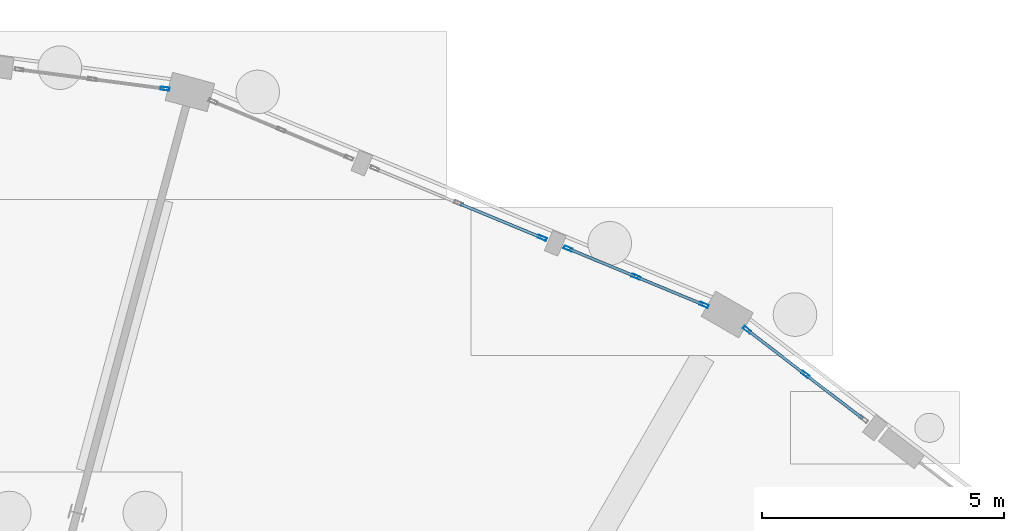
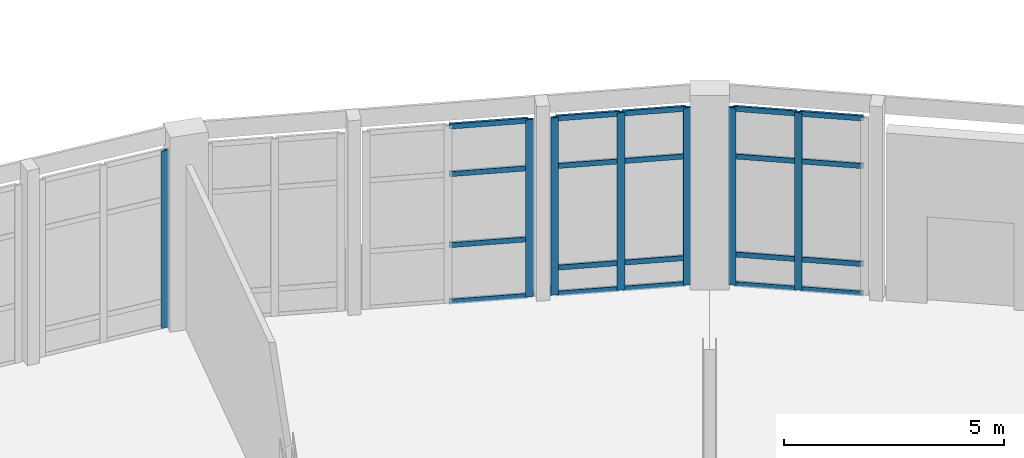
# One storey, part 64 of 137: 27 members, 4 elements without a shape of their own.
"""IFC4 building model written with IfcOpenShell, lengths in metres."""

from ifc_helpers import new_model, si_unit, direction, frame, origin, origin_2d, place, context, subcontext, project, spatial, hollow_rectangle, extrude, material, material_profile, profile_set, type_object, element, aggregate, save


model = new_model("IFC4")

# Units and contexts
model_context = context("Model", 3, precision=1e-05, world=origin(), true_north=direction((0.0, 1.0)))
body_context = subcontext(model_context, "Body", "Model", "MODEL_VIEW")
ifc_project = project(units=[si_unit("LENGTHUNIT", "METRE"), si_unit("AREAUNIT", "SQUARE_METRE"), si_unit("VOLUMEUNIT", "CUBIC_METRE"), si_unit("PLANEANGLEUNIT", "RADIAN"), si_unit("MASSUNIT", "GRAM", prefix="KILO")], contexts=[model_context])

# Site, building, storey
site_placement = place(None, origin())
site = spatial("IfcSite", under=ifc_project, at=site_placement, CompositionType="ELEMENT")
building_placement = place(site_placement, origin())
building = spatial("IfcBuilding", under=site, at=building_placement, Name="Vondelvale Polytechnic", CompositionType="ELEMENT")
storey_placement = place(building_placement, origin())
storey = spatial("IfcBuildingStorey", under=building, at=storey_placement, Name="L00", CompositionType="ELEMENT", Elevation=0.0)

# Curtain wall, members
ifc_material_1 = material(Name="Glulam GL18 structural Tasmanian oak (fb = 42 MPa)", Category="wood")
curtain_wall_type = type_object("IfcCurtainWallType", Name="CW-RING-OUTER", PredefinedType="NOTDEFINED", material=ifc_material_1)
curtain_wall_1_placement = place(storey_placement, origin())
curtain_wall_1 = element("IfcCurtainWall", 1, at=curtain_wall_1_placement, inside=storey, type_object=curtain_wall_type, Name="L00 architectural curtain wall CW-04-099", PredefinedType="NOTDEFINED")
ifc_material_2 = material(Name="Anodised extruded aluminium 6063-T6", Category="aluminium")
ifc_material_profile_1 = material_profile(ifc_material_2, hollow_rectangle(XDim=0.06494140625, YDim=0.179931640625, WallThickness=0.00390625, at=origin_2d()), Name="CW-MUL-180x65")
ifc_profile_set_1 = profile_set([ifc_material_profile_1], Name="Anodised extruded aluminium 6063-T6")
member_type_1 = type_object("IfcMemberType", Name="CW-MUL-65x180", PredefinedType="MULLION", material=ifc_profile_set_1)
member_1_placement = place(storey_placement, frame((126.615234375, 110.597900390625, 0.0), z_axis=(0.0, 0.0, 1.0), x_axis=(-0.608763610584, -0.793351666305, 0.0)))
member_1 = element("IfcMember", 2, at=member_1_placement, type_object=member_type_1, Name="CW-04-099 mullion 2", PredefinedType="MULLION", context=body_context, shape_type="SweptSolid", body=[
    extrude(hollow_rectangle(XDim=0.06494140625, YDim=0.179931640625, WallThickness=0.00390625, at=origin_2d()), origin(), (0.0, 0.0, 1.0), 4.919921875),
])
member_2_placement = place(storey_placement, frame((125.40966796875, 111.522705078125, 0.0), z_axis=(0.0, 0.0, 1.0), x_axis=(-0.608763610584, -0.793351666305, 0.0)))
member_2 = element("IfcMember", 3, at=member_2_placement, type_object=member_type_1, Name="CW-04-099 mullion 3", PredefinedType="MULLION", context=body_context, shape_type="SweptSolid", body=[
    extrude(hollow_rectangle(XDim=0.06494140625, YDim=0.179931640625, WallThickness=0.00390625, at=origin_2d()), origin(), (0.0, 0.0, 1.0), 4.919921875),
])

curtain_wall_2_placement = place(storey_placement, origin())
curtain_wall_2 = element("IfcCurtainWall", 4, at=curtain_wall_2_placement, inside=storey, type_object=curtain_wall_type, Name="L00 architectural curtain wall CW-04-112", PredefinedType="NOTDEFINED")
member_3_placement = place(storey_placement, frame((124.522705078125, 112.034912109375, 0.0), z_axis=(0.0, 0.0, 1.0), x_axis=(-0.382679040691, -0.92388135159, 0.0)))
member_3 = element("IfcMember", 5, at=member_3_placement, type_object=member_type_1, Name="CW-04-112 mullion 1", PredefinedType="MULLION", context=body_context, shape_type="SweptSolid", body=[
    extrude(hollow_rectangle(XDim=0.06494140625, YDim=0.179931640625, WallThickness=0.00390625, at=origin_2d()), origin(), (0.0, 0.0, 1.0), 4.919921875),
])
member_4_placement = place(storey_placement, frame((123.119140625, 112.6162109375, 0.0), z_axis=(0.0, 0.0, 1.0), x_axis=(-0.382679040691, -0.92388135159, 0.0)))
member_4 = element("IfcMember", 6, at=member_4_placement, type_object=member_type_1, Name="CW-04-112 mullion 2", PredefinedType="MULLION", context=body_context, shape_type="SweptSolid", body=[
    extrude(hollow_rectangle(XDim=0.06494140625, YDim=0.179931640625, WallThickness=0.00390625, at=origin_2d()), origin(), (0.0, 0.0, 1.0), 4.919921875),
])
member_5_placement = place(storey_placement, frame((121.71533203125, 113.19775390625, 0.0), z_axis=(0.0, 0.0, 1.0), x_axis=(-0.382679040691, -0.92388135159, 0.0)))
member_5 = element("IfcMember", 7, at=member_5_placement, type_object=member_type_1, Name="CW-04-112 mullion 3", PredefinedType="MULLION", context=body_context, shape_type="SweptSolid", body=[
    extrude(hollow_rectangle(XDim=0.06494140625, YDim=0.179931640625, WallThickness=0.00390625, at=origin_2d()), origin(), (0.0, 0.0, 1.0), 4.919921875),
])

# Curtain wall, member
curtain_wall_3_placement = place(storey_placement, origin())
curtain_wall_3 = element("IfcCurtainWall", 8, at=curtain_wall_3_placement, inside=storey, type_object=curtain_wall_type, Name="L00 architectural curtain wall CW-04-113", PredefinedType="NOTDEFINED")
member_6_placement = place(storey_placement, frame((121.18408203125, 113.417724609375, 0.0), z_axis=(0.0, 0.0, 1.0), x_axis=(-0.382694599123, -0.92387490701, 0.0)))
member_6 = element("IfcMember", 9, at=member_6_placement, type_object=member_type_1, Name="CW-04-113 mullion 1", PredefinedType="MULLION", context=body_context, shape_type="SweptSolid", body=[
    extrude(hollow_rectangle(XDim=0.06494140625, YDim=0.179931640625, WallThickness=0.00390625, at=origin_2d()), origin(), (0.0, 0.0, 1.0), 4.919921875),
])

curtain_wall_4_placement = place(storey_placement, origin())
curtain_wall_4 = element("IfcCurtainWall", 10, at=curtain_wall_4_placement, inside=storey, type_object=curtain_wall_type, Name="L00 architectural curtain wall CW-04-132", PredefinedType="NOTDEFINED")
member_7_placement = place(storey_placement, frame((113.3935546875, 116.5, 0.0), z_axis=(0.0, 0.0, 1.0), x_axis=(-0.130523690099, -0.991445190781, 0.0)))
member_7 = element("IfcMember", 11, at=member_7_placement, type_object=member_type_1, Name="CW-04-132 mullion 1", PredefinedType="MULLION", context=body_context, shape_type="SweptSolid", body=[
    extrude(hollow_rectangle(XDim=0.06494140625, YDim=0.179931640625, WallThickness=0.00390625, at=origin_2d()), origin(), (0.0, 0.0, 1.0), 4.919921875),
])
aggregate(curtain_wall_4, [member_7])

# Member
ifc_material_profile_2 = material_profile(ifc_material_2, hollow_rectangle(XDim=0.06005859375, YDim=0.139892578125, WallThickness=0.00341796875, at=origin_2d()), Name="CW-TRN-140x60")
ifc_profile_set_2 = profile_set([ifc_material_profile_2], Name="Anodised extruded aluminium 6063-T6")
member_type_2 = type_object("IfcMemberType", Name="CW-TRN-60x140", PredefinedType="USERDEFINED", material=ifc_profile_set_2)
member_8_placement = place(storey_placement, frame((127.794677734375, 109.692626953125, 0.030029296875), z_axis=(-0.793303669799, 0.608826155387, 0.0), x_axis=(-0.608826155387, -0.793303669799, 0.0)))
member_8 = element("IfcMember", 12, at=member_8_placement, type_object=member_type_2, Name="CW-04-099 transom 1.1", ObjectType="TRANSOM", PredefinedType="USERDEFINED", context=body_context, shape_type="SweptSolid", body=[
    extrude(hollow_rectangle(XDim=0.06005859375, YDim=0.139892578125, WallThickness=0.00341796875, at=origin_2d()), origin(), (0.0, 0.0, 1.0), 1.454345703125),
])

member_9_placement = place(storey_placement, frame((127.794677734375, 109.692626953125, 0.85009765625), z_axis=(-0.793303669799, 0.608826155387, 0.0), x_axis=(-0.608826155387, -0.793303669799, 0.0)))
member_9 = element("IfcMember", 13, at=member_9_placement, type_object=member_type_2, Name="CW-04-099 transom 1.2", ObjectType="TRANSOM", PredefinedType="USERDEFINED", context=body_context, shape_type="SweptSolid", body=[
    extrude(hollow_rectangle(XDim=0.06005859375, YDim=0.139892578125, WallThickness=0.00341796875, at=origin_2d()), origin(), (0.0, 0.0, 1.0), 1.454345703125),
])

member_10_placement = place(storey_placement, frame((127.794677734375, 109.692626953125, 3.570068359375), z_axis=(-0.793303669799, 0.608826155387, 0.0), x_axis=(-0.608826155387, -0.793303669799, 0.0)))
member_10 = element("IfcMember", 14, at=member_10_placement, type_object=member_type_2, Name="CW-04-099 transom 1.3", ObjectType="TRANSOM", PredefinedType="USERDEFINED", context=body_context, shape_type="SweptSolid", body=[
    extrude(hollow_rectangle(XDim=0.06005859375, YDim=0.139892578125, WallThickness=0.00341796875, at=origin_2d()), origin(), (0.0, 0.0, 1.0), 1.454345703125),
])

member_11_placement = place(storey_placement, frame((127.794677734375, 109.692626953125, 4.889892578125), z_axis=(-0.793303669799, 0.608826155387, 0.0), x_axis=(-0.608826155387, -0.793303669799, 0.0)))
member_11 = element("IfcMember", 15, at=member_11_placement, type_object=member_type_2, Name="CW-04-099 transom 1.4", ObjectType="TRANSOM", PredefinedType="USERDEFINED", context=body_context, shape_type="SweptSolid", body=[
    extrude(hollow_rectangle(XDim=0.06005859375, YDim=0.139892578125, WallThickness=0.00341796875, at=origin_2d()), origin(), (0.0, 0.0, 1.0), 1.454345703125),
])

member_12_placement = place(storey_placement, frame((126.58935546875, 110.61767578125, 0.030029296875), z_axis=(-0.793384744473, 0.608720500097, 0.0), x_axis=(-0.608720500097, -0.793384744473, 0.0)))
member_12 = element("IfcMember", 16, at=member_12_placement, type_object=member_type_2, Name="CW-04-099 transom 2.1", ObjectType="TRANSOM", PredefinedType="USERDEFINED", context=body_context, shape_type="SweptSolid", body=[
    extrude(hollow_rectangle(XDim=0.06005859375, YDim=0.139892578125, WallThickness=0.00341796875, at=origin_2d()), origin(), (0.0, 0.0, 1.0), 1.454345703125),
])

member_13_placement = place(storey_placement, frame((126.58935546875, 110.61767578125, 0.85009765625), z_axis=(-0.793384744473, 0.608720500097, 0.0), x_axis=(-0.608720500097, -0.793384744473, 0.0)))
member_13 = element("IfcMember", 17, at=member_13_placement, type_object=member_type_2, Name="CW-04-099 transom 2.2", ObjectType="TRANSOM", PredefinedType="USERDEFINED", context=body_context, shape_type="SweptSolid", body=[
    extrude(hollow_rectangle(XDim=0.06005859375, YDim=0.139892578125, WallThickness=0.00341796875, at=origin_2d()), origin(), (0.0, 0.0, 1.0), 1.454345703125),
])

member_14_placement = place(storey_placement, frame((126.58935546875, 110.61767578125, 3.570068359375), z_axis=(-0.793384744473, 0.608720500097, 0.0), x_axis=(-0.608720500097, -0.793384744473, 0.0)))
member_14 = element("IfcMember", 18, at=member_14_placement, type_object=member_type_2, Name="CW-04-099 transom 2.3", ObjectType="TRANSOM", PredefinedType="USERDEFINED", context=body_context, shape_type="SweptSolid", body=[
    extrude(hollow_rectangle(XDim=0.06005859375, YDim=0.139892578125, WallThickness=0.00341796875, at=origin_2d()), origin(), (0.0, 0.0, 1.0), 1.454345703125),
])

member_15_placement = place(storey_placement, frame((126.58935546875, 110.61767578125, 4.889892578125), z_axis=(-0.793384744473, 0.608720500097, 0.0), x_axis=(-0.608720500097, -0.793384744473, 0.0)))
member_15 = element("IfcMember", 19, at=member_15_placement, type_object=member_type_2, Name="CW-04-099 transom 2.4", ObjectType="TRANSOM", PredefinedType="USERDEFINED", context=body_context, shape_type="SweptSolid", body=[
    extrude(hollow_rectangle(XDim=0.06005859375, YDim=0.139892578125, WallThickness=0.00341796875, at=origin_2d()), origin(), (0.0, 0.0, 1.0), 1.454345703125),
])

aggregate(curtain_wall_1, [member_1, member_2, member_8, member_9, member_10, member_11, member_12, member_13, member_14, member_15])

member_16_placement = place(storey_placement, frame((124.49267578125, 112.04736328125, 0.030029296875), z_axis=(-0.92390429692, 0.38262364032, 0.0), x_axis=(-0.38262364032, -0.92390429692, 0.0)))
member_16 = element("IfcMember", 20, at=member_16_placement, type_object=member_type_2, Name="CW-04-112 transom 1.1", ObjectType="TRANSOM", PredefinedType="USERDEFINED", context=body_context, shape_type="SweptSolid", body=[
    extrude(hollow_rectangle(XDim=0.06005859375, YDim=0.139892578125, WallThickness=0.00341796875, at=origin_2d()), origin(), (0.0, 0.0, 1.0), 1.4541015625),
])

member_17_placement = place(storey_placement, frame((124.49267578125, 112.04736328125, 0.75), z_axis=(-0.92390429692, 0.38262364032, 0.0), x_axis=(-0.38262364032, -0.92390429692, 0.0)))
member_17 = element("IfcMember", 21, at=member_17_placement, type_object=member_type_2, Name="CW-04-112 transom 1.2", ObjectType="TRANSOM", PredefinedType="USERDEFINED", context=body_context, shape_type="SweptSolid", body=[
    extrude(hollow_rectangle(XDim=0.06005859375, YDim=0.139892578125, WallThickness=0.00341796875, at=origin_2d()), origin(), (0.0, 0.0, 1.0), 1.4541015625),
])

member_18_placement = place(storey_placement, frame((124.49267578125, 112.04736328125, 3.570068359375), z_axis=(-0.92390429692, 0.38262364032, 0.0), x_axis=(-0.38262364032, -0.92390429692, 0.0)))
member_18 = element("IfcMember", 22, at=member_18_placement, type_object=member_type_2, Name="CW-04-112 transom 1.3", ObjectType="TRANSOM", PredefinedType="USERDEFINED", context=body_context, shape_type="SweptSolid", body=[
    extrude(hollow_rectangle(XDim=0.06005859375, YDim=0.139892578125, WallThickness=0.00341796875, at=origin_2d()), origin(), (0.0, 0.0, 1.0), 1.4541015625),
])

member_19_placement = place(storey_placement, frame((124.49267578125, 112.04736328125, 4.889892578125), z_axis=(-0.92390429692, 0.38262364032, 0.0), x_axis=(-0.38262364032, -0.92390429692, 0.0)))
member_19 = element("IfcMember", 23, at=member_19_placement, type_object=member_type_2, Name="CW-04-112 transom 1.4", ObjectType="TRANSOM", PredefinedType="USERDEFINED", context=body_context, shape_type="SweptSolid", body=[
    extrude(hollow_rectangle(XDim=0.06005859375, YDim=0.139892578125, WallThickness=0.00341796875, at=origin_2d()), origin(), (0.0, 0.0, 1.0), 1.4541015625),
])

member_20_placement = place(storey_placement, frame((123.089111328125, 112.628662109375, 0.030029296875), z_axis=(-0.923869529365, 0.382707581205, 0.0), x_axis=(-0.382707581205, -0.923869529365, 0.0)))
member_20 = element("IfcMember", 24, at=member_20_placement, type_object=member_type_2, Name="CW-04-112 transom 2.1", ObjectType="TRANSOM", PredefinedType="USERDEFINED", context=body_context, shape_type="SweptSolid", body=[
    extrude(hollow_rectangle(XDim=0.06005859375, YDim=0.139892578125, WallThickness=0.00341796875, at=origin_2d()), origin(), (0.0, 0.0, 1.0), 1.45458984375),
])

member_21_placement = place(storey_placement, frame((123.089111328125, 112.628662109375, 0.75), z_axis=(-0.923869529365, 0.382707581205, 0.0), x_axis=(-0.382707581205, -0.923869529365, 0.0)))
member_21 = element("IfcMember", 25, at=member_21_placement, type_object=member_type_2, Name="CW-04-112 transom 2.2", ObjectType="TRANSOM", PredefinedType="USERDEFINED", context=body_context, shape_type="SweptSolid", body=[
    extrude(hollow_rectangle(XDim=0.06005859375, YDim=0.139892578125, WallThickness=0.00341796875, at=origin_2d()), origin(), (0.0, 0.0, 1.0), 1.45458984375),
])

member_22_placement = place(storey_placement, frame((123.089111328125, 112.628662109375, 3.570068359375), z_axis=(-0.923869529365, 0.382707581205, 0.0), x_axis=(-0.382707581205, -0.923869529365, 0.0)))
member_22 = element("IfcMember", 26, at=member_22_placement, type_object=member_type_2, Name="CW-04-112 transom 2.3", ObjectType="TRANSOM", PredefinedType="USERDEFINED", context=body_context, shape_type="SweptSolid", body=[
    extrude(hollow_rectangle(XDim=0.06005859375, YDim=0.139892578125, WallThickness=0.00341796875, at=origin_2d()), origin(), (0.0, 0.0, 1.0), 1.45458984375),
])

member_23_placement = place(storey_placement, frame((123.089111328125, 112.628662109375, 4.889892578125), z_axis=(-0.923869529365, 0.382707581205, 0.0), x_axis=(-0.382707581205, -0.923869529365, 0.0)))
member_23 = element("IfcMember", 27, at=member_23_placement, type_object=member_type_2, Name="CW-04-112 transom 2.4", ObjectType="TRANSOM", PredefinedType="USERDEFINED", context=body_context, shape_type="SweptSolid", body=[
    extrude(hollow_rectangle(XDim=0.06005859375, YDim=0.139892578125, WallThickness=0.00341796875, at=origin_2d()), origin(), (0.0, 0.0, 1.0), 1.45458984375),
])

aggregate(curtain_wall_2, [member_3, member_4, member_5, member_16, member_17, member_18, member_19, member_20, member_21, member_22, member_23])

member_24_placement = place(storey_placement, frame((121.154052734375, 113.43017578125, 0.030029296875), z_axis=(-0.92384573676, 0.382765012338, 0.0), x_axis=(-0.382765012338, -0.92384573676, 0.0)))
member_24 = element("IfcMember", 28, at=member_24_placement, type_object=member_type_2, Name="CW-04-113 transom 1.1", ObjectType="TRANSOM", PredefinedType="USERDEFINED", context=body_context, shape_type="SweptSolid", body=[
    extrude(hollow_rectangle(XDim=0.06005859375, YDim=0.139892578125, WallThickness=0.00341796875, at=origin_2d()), origin(), (0.0, 0.0, 1.0), 1.808837890625),
])

member_25_placement = place(storey_placement, frame((121.154052734375, 113.43017578125, 1.60009765625), z_axis=(-0.92384573676, 0.382765012338, 0.0), x_axis=(-0.382765012338, -0.92384573676, 0.0)))
member_25 = element("IfcMember", 29, at=member_25_placement, type_object=member_type_2, Name="CW-04-113 transom 1.2", ObjectType="TRANSOM", PredefinedType="USERDEFINED", context=body_context, shape_type="SweptSolid", body=[
    extrude(hollow_rectangle(XDim=0.06005859375, YDim=0.139892578125, WallThickness=0.00341796875, at=origin_2d()), origin(), (0.0, 0.0, 1.0), 1.808837890625),
])

member_26_placement = place(storey_placement, frame((121.154052734375, 113.43017578125, 3.570068359375), z_axis=(-0.92384573676, 0.382765012338, 0.0), x_axis=(-0.382765012338, -0.92384573676, 0.0)))
member_26 = element("IfcMember", 30, at=member_26_placement, type_object=member_type_2, Name="CW-04-113 transom 1.3", ObjectType="TRANSOM", PredefinedType="USERDEFINED", context=body_context, shape_type="SweptSolid", body=[
    extrude(hollow_rectangle(XDim=0.06005859375, YDim=0.139892578125, WallThickness=0.00341796875, at=origin_2d()), origin(), (0.0, 0.0, 1.0), 1.808837890625),
])

member_27_placement = place(storey_placement, frame((121.154052734375, 113.43017578125, 4.889892578125), z_axis=(-0.92384573676, 0.382765012338, 0.0), x_axis=(-0.382765012338, -0.92384573676, 0.0)))
member_27 = element("IfcMember", 31, at=member_27_placement, type_object=member_type_2, Name="CW-04-113 transom 1.4", ObjectType="TRANSOM", PredefinedType="USERDEFINED", context=body_context, shape_type="SweptSolid", body=[
    extrude(hollow_rectangle(XDim=0.06005859375, YDim=0.139892578125, WallThickness=0.00341796875, at=origin_2d()), origin(), (0.0, 0.0, 1.0), 1.808837890625),
])

aggregate(curtain_wall_3, [member_6, member_24, member_25, member_26, member_27])

save(model, "model.ifc")
